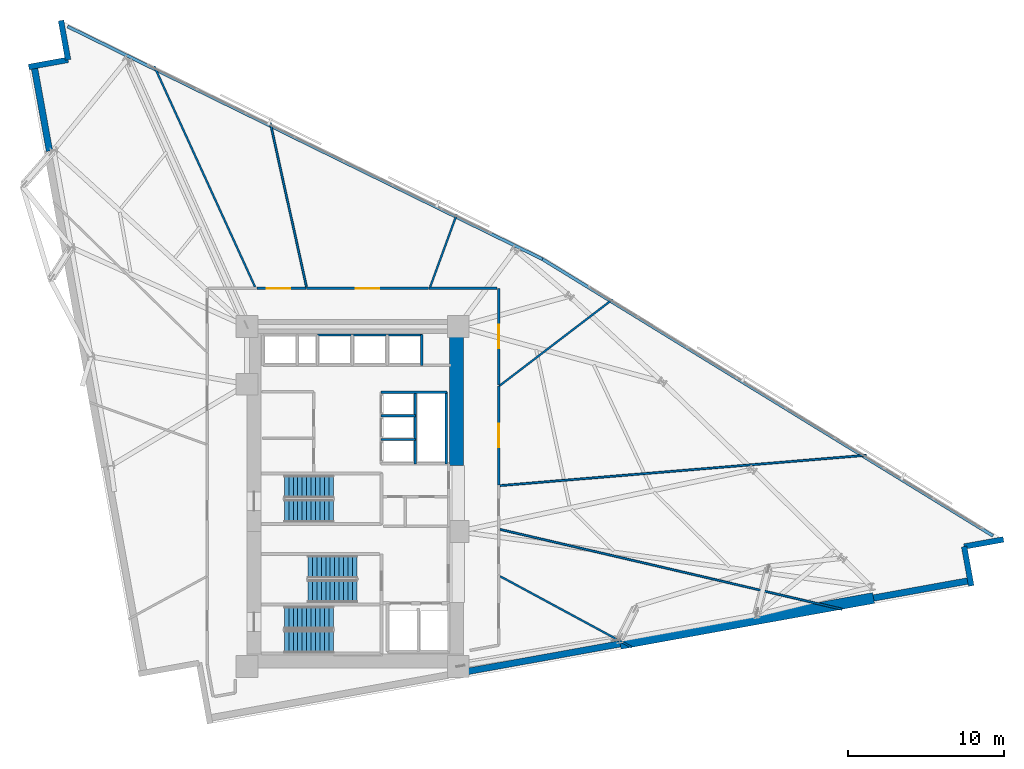
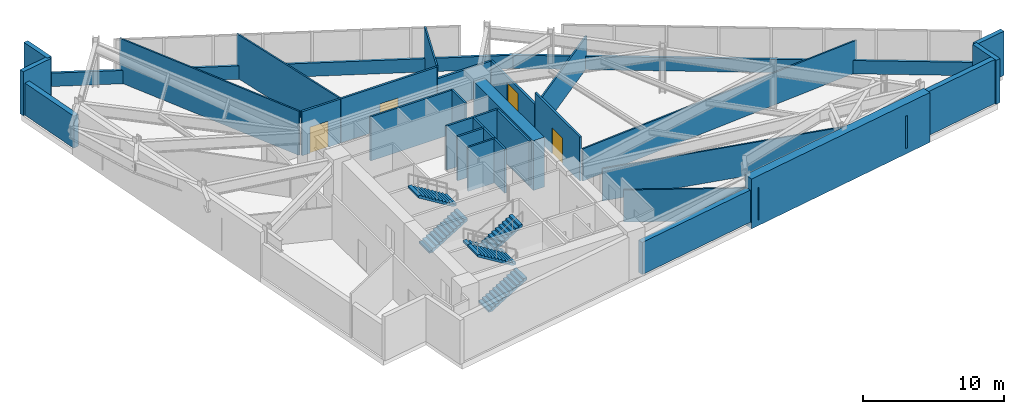
# One storey, part 14 of 19: 30 walls, 6 stair flights, 4 doors, 4 openings, 3 elements without a shape of their own.
"""IFC4 building model written with IfcOpenShell, lengths in metres."""

from ifc_helpers import new_model, si_unit, direction, frame, frame_2d, origin, place, context, subcontext, project, spatial, polyline, rectangle, outline, extrude, material, layer, layer_set, type_object, element, fill, aggregate, save


model = new_model("IFC4")

# Units and contexts
model_context = context("Model", 3, precision=1e-05, world=origin(), true_north=direction((0.0, 1.0)))
body_context = subcontext(model_context, "Body", "Model", "MODEL_VIEW")
ifc_project = project(units=[si_unit("LENGTHUNIT", "METRE"), si_unit("AREAUNIT", "SQUARE_METRE"), si_unit("VOLUMEUNIT", "CUBIC_METRE"), si_unit("PLANEANGLEUNIT", "RADIAN"), si_unit("MASSUNIT", "GRAM", prefix="KILO")], contexts=[model_context])

# Site, building, storey
site_placement = place(None, origin())
site = spatial("IfcSite", under=ifc_project, at=site_placement, CompositionType="ELEMENT")
building_placement = place(site_placement, origin())
building = spatial("IfcBuilding", under=site, at=building_placement, Name="Narakoshi Arena Tower", CompositionType="ELEMENT")
storey_placement = place(building_placement, frame((0.0, 0.0, 128.10009765625)))
storey = spatial("IfcBuildingStorey", under=building, at=storey_placement, Name="L34", CompositionType="ELEMENT", Elevation=128.10009765625)

# Wall
ifc_material_1 = material(Name="Concrete C60/75", Category="concrete")
ifc_layer_1 = layer(ifc_material_1, 0.89990234375)
ifc_layer_set_1 = layer_set([ifc_layer_1], Name="Concrete C60/75")
wall_type_1 = type_object("IfcWallType", Name="WL-CORE-900", PredefinedType="SHEAR", material=ifc_layer_set_1)
wall_1_placement = place(storey_placement, frame((85.449951171875, 47.60009765625, -0.5), z_axis=(0.0, 0.0, 1.0), x_axis=(0.0, 1.0, 0.0)))
element("IfcWall", 1, at=wall_1_placement, inside=storey, type_object=wall_type_1, Name="L34 Main Core Shear Wall CW-MN-E", PredefinedType="SHEAR", context=body_context, shape_type="SweptSolid", body=[
    extrude(rectangle(XDim=8.449951171875, YDim=0.89990234375, at=frame_2d((4.22509765625, 0.0))), origin(), (0.0, 0.0, 1.0), 4.2998046875),
])

# Wall, opening, door
ifc_material_2 = material(Name="Gypsum plasterboard fire-rated partition")
ifc_layer_2 = layer(ifc_material_2, 0.1650390625)
ifc_layer_set_2 = layer_set([ifc_layer_2], Name="Gypsum plasterboard fire-rated partition")
wall_type_2 = type_object("IfcWallType", Name="WL-CORR-165", PredefinedType="PARTITIONING", material=ifc_layer_set_2)
wall_2_placement = place(storey_placement, frame((88.14990234375, 46.3515625, 0.0), z_axis=(0.0, 0.0, 1.0), x_axis=(0.0, 1.0, 0.0)))
wall_2 = element("IfcWall", 2, at=wall_2_placement, inside=storey, type_object=wall_type_2, Name="L34 Corridor Partition 06-1", PredefinedType="PARTITIONING", context=body_context, shape_type="SweptSolid", body=[
    extrude(rectangle(XDim=6.34326171875, YDim=0.1650390625, at=frame_2d((3.171630859375, 0.0))), origin(), (0.0, 0.0, 1.0), 3.7998046875),
])
opening_1_placement = place(wall_2_placement, frame((2.421630859375, 0.0, 0.0)))
opening_1 = element("IfcOpeningElement", 3, at=opening_1_placement, cuts=wall_2, Name="Opening D-09", PredefinedType="OPENING", context=body_context, shape_type="SweptSolid", body=[
    extrude(rectangle(XDim=1.5, YDim=2.25, at=frame_2d((0.75, 1.125))), frame((0.0, 0.092529296875, 0.0), z_axis=(0.0, -1.0, 0.0), x_axis=(1.0, 0.0, 0.0)), (0.0, 0.0, 1.0), 0.18505859375),
])
ifc_material_3 = material(Name="Painted galvanized steel", Category="steel")
door_type = type_object("IfcDoorType", Name="DR-PLT-1500", OperationType="DOUBLE_DOOR_SINGLE_SWING", PredefinedType="DOOR", material=ifc_material_3)
door_1_placement = place(opening_1_placement, frame((1.5, 0.0, 0.0), z_axis=(0.0, 0.0, 1.0), x_axis=(-1.0, 0.0, 0.0)))
door_1 = element("IfcDoor", 4, at=door_1_placement, inside=storey, type_object=door_type, Name="DR-L34-020", OperationType="DOUBLE_DOOR_SINGLE_SWING", OverallHeight=2.25, OverallWidth=1.5, PredefinedType="DOOR", context=body_context, shape_type="SweptSolid", body=[
    extrude(rectangle(XDim=1.5, YDim=2.25, at=frame_2d((0.75, 1.125))), frame((0.0, 0.02490234375, 0.0), z_axis=(0.0, -1.0, 0.0), x_axis=(1.0, 0.0, 0.0)), (0.0, 0.0, 1.0), 0.050048828125),
])
fill(opening_1, door_1)

wall_3_placement = place(storey_placement, frame((88.14990234375, 52.7587890625, 0.0), z_axis=(0.0, 0.0, 1.0), x_axis=(0.0, 1.0, 0.0)))
wall_3 = element("IfcWall", 5, at=wall_3_placement, inside=storey, type_object=wall_type_2, Name="L34 Corridor Partition 07-1", PredefinedType="PARTITIONING", context=body_context, shape_type="SweptSolid", body=[
    extrude(rectangle(XDim=6.191162109375, YDim=0.1650390625, at=frame_2d((3.095703125, 0.0))), origin(), (0.0, 0.0, 1.0), 2.77685546875),
])
opening_2_placement = place(wall_3_placement, frame((2.345703125, 0.0, 0.0)))
opening_2 = element("IfcOpeningElement", 6, at=opening_2_placement, cuts=wall_3, Name="Opening D-09", PredefinedType="OPENING", context=body_context, shape_type="SweptSolid", body=[
    extrude(rectangle(XDim=1.5, YDim=2.25, at=frame_2d((0.75, 1.125))), frame((0.0, 0.092529296875, 0.0), z_axis=(0.0, -1.0, 0.0), x_axis=(1.0, 0.0, 0.0)), (0.0, 0.0, 1.0), 0.18505859375),
])
door_2_placement = place(opening_2_placement, frame((1.5, 0.0, 0.0), z_axis=(0.0, 0.0, 1.0), x_axis=(-1.0, 0.0, 0.0)))
door_2 = element("IfcDoor", 7, at=door_2_placement, inside=storey, type_object=door_type, Name="DR-L34-021", OperationType="DOUBLE_DOOR_SINGLE_SWING", OverallHeight=2.25, OverallWidth=1.5, PredefinedType="DOOR", context=body_context, shape_type="SweptSolid", body=[
    extrude(rectangle(XDim=1.5, YDim=2.25, at=frame_2d((0.75, 1.125))), frame((0.0, 0.02490234375, 0.0), z_axis=(0.0, -1.0, 0.0), x_axis=(1.0, 0.0, 0.0)), (0.0, 0.0, 1.0), 0.050048828125),
])
fill(opening_2, door_2)

# Wall
wall_4_placement = place(storey_placement, frame((88.055419921875, 58.949951171875, 0.0), z_axis=(0.0, 0.0, 1.0), x_axis=(-1.0, 0.0, 0.0)))
element("IfcWall", 8, at=wall_4_placement, inside=storey, type_object=wall_type_2, Name="L34 Corridor Partition 07-2", PredefinedType="PARTITIONING", context=body_context, shape_type="SweptSolid", body=[
    extrude(rectangle(XDim=4.377685546875, YDim=0.1650390625, at=frame_2d((2.18896484375, 0.0))), origin(), (0.0, 0.0, 1.0), 2.77685546875),
])

# Wall, opening, door
wall_5_placement = place(storey_placement, frame((83.652099609375, 58.949951171875, 0.0), z_axis=(0.0, 0.0, 1.0), x_axis=(-1.0, 0.0, 0.0)))
wall_5 = element("IfcWall", 9, at=wall_5_placement, inside=storey, type_object=wall_type_2, Name="L34 Corridor Partition 08-1", PredefinedType="PARTITIONING", context=body_context, shape_type="SweptSolid", body=[
    extrude(rectangle(XDim=7.849609375, YDim=0.1650390625, at=frame_2d((3.9248046875, 0.0))), origin(), (0.0, 0.0, 1.0), 3.7998046875),
])
opening_3_placement = place(wall_5_placement, frame((3.1748046875, 0.0, 0.0)))
opening_3 = element("IfcOpeningElement", 10, at=opening_3_placement, cuts=wall_5, Name="Opening D-09", PredefinedType="OPENING", context=body_context, shape_type="SweptSolid", body=[
    extrude(rectangle(XDim=1.5, YDim=2.25, at=frame_2d((0.75, 1.125))), frame((0.0, 0.092529296875, 0.0), z_axis=(0.0, -1.0, 0.0), x_axis=(1.0, 0.0, 0.0)), (0.0, 0.0, 1.0), 0.18505859375),
])
door_3_placement = place(opening_3_placement, frame((1.5, 0.0, 0.0), z_axis=(0.0, 0.0, 1.0), x_axis=(-1.0, 0.0, 0.0)))
door_3 = element("IfcDoor", 11, at=door_3_placement, inside=storey, type_object=door_type, Name="DR-L34-022", OperationType="DOUBLE_DOOR_SINGLE_SWING", OverallHeight=2.25, OverallWidth=1.5, PredefinedType="DOOR", context=body_context, shape_type="SweptSolid", body=[
    extrude(rectangle(XDim=1.5, YDim=2.25, at=frame_2d((0.75, 1.125))), frame((0.0, 0.02490234375, 0.0), z_axis=(0.0, -1.0, 0.0), x_axis=(1.0, 0.0, 0.0)), (0.0, 0.0, 1.0), 0.050048828125),
])
fill(opening_3, door_3)

wall_6_placement = place(storey_placement, frame((75.778076171875, 58.949951171875, 0.0), z_axis=(0.0, 0.0, 1.0), x_axis=(-1.0, 0.0, 0.0)))
wall_6 = element("IfcWall", 12, at=wall_6_placement, inside=storey, type_object=wall_type_2, Name="L34 Corridor Partition 10-1", PredefinedType="PARTITIONING", context=body_context, shape_type="SweptSolid", body=[
    extrude(rectangle(XDim=3.15087890625, YDim=0.1650390625, at=frame_2d((1.575439453125, 0.0))), origin(), (0.0, 0.0, 1.0), 3.7998046875),
])
opening_4_placement = place(wall_6_placement, frame((1.012939453125, 0.0, 0.0)))
opening_4 = element("IfcOpeningElement", 13, at=opening_4_placement, cuts=wall_6, Name="Opening D-09", PredefinedType="OPENING", context=body_context, shape_type="SweptSolid", body=[
    extrude(rectangle(XDim=1.5, YDim=2.25, at=frame_2d((0.75, 1.125))), frame((0.0, 0.092529296875, 0.0), z_axis=(0.0, -1.0, 0.0), x_axis=(1.0, 0.0, 0.0)), (0.0, 0.0, 1.0), 0.18505859375),
])
door_4_placement = place(opening_4_placement, frame((1.5, 0.0, 0.0), z_axis=(0.0, 0.0, 1.0), x_axis=(-1.0, 0.0, 0.0)))
door_4 = element("IfcDoor", 14, at=door_4_placement, inside=storey, type_object=door_type, Name="DR-L34-024", OperationType="DOUBLE_DOOR_SINGLE_SWING", OverallHeight=2.25, OverallWidth=1.5, PredefinedType="DOOR", context=body_context, shape_type="SweptSolid", body=[
    extrude(rectangle(XDim=1.5, YDim=2.25, at=frame_2d((0.75, 1.125))), frame((0.0, 0.02490234375, 0.0), z_axis=(0.0, -1.0, 0.0), x_axis=(1.0, 0.0, 0.0)), (0.0, 0.0, 1.0), 0.050048828125),
])
fill(opening_4, door_4)

# Walls
ifc_layer_3 = layer(ifc_material_1, 0.699951171875)
ifc_layer_set_3 = layer_set([ifc_layer_3], Name="Concrete C60/75")
wall_type_3 = type_object("IfcWallType", Name="WL-LEG-700", PredefinedType="SHEAR", material=ifc_layer_set_3)
wall_7_placement = place(storey_placement, frame((95.93798828125, 36.14599609375, -0.5), z_axis=(0.0, 0.0, 1.0), x_axis=(0.984038488288, 0.177955762952, 0.0)))
element("IfcWall", 15, at=wall_7_placement, inside=storey, type_object=wall_type_3, Name="L34 Architectural Concrete Structural Wall LEGA-3", PredefinedType="SHEAR", context=body_context, shape_type="SweptSolid", body=[
    extrude(rectangle(XDim=16.524658203125, YDim=0.699951171875, at=frame_2d((8.26220703125, 0.0))), origin(), (0.0, 0.0, 1.0), 4.2998046875),
])
ifc_material_4 = material(Name="Precast concrete C45/55", Category="concrete")
ifc_layer_4 = layer(ifc_material_4, 0.25)
ifc_layer_set_4 = layer_set([ifc_layer_4], Name="Precast concrete C45/55")
wall_type_4 = type_object("IfcWallType", Name="WL-PARA-250", PredefinedType="PARAPET", material=ifc_layer_set_4)
wall_8_placement = place(storey_placement, frame((119.86474609375, 43.0703125, 0.0), z_axis=(0.0, 0.0, 1.0), x_axis=(-0.852110824326, 0.52336138859, 0.0)))
element("IfcWall", 16, at=wall_8_placement, inside=storey, type_object=wall_type_4, Name="L34 Hypotenuse Sill Upstand Parapet 1-01", PredefinedType="PARAPET", context=body_context, shape_type="SweptSolid", body=[
    extrude(rectangle(XDim=33.931640625, YDim=0.199951171875, at=frame_2d((16.9658203125, 0.0))), origin(), (0.0, 0.0, 1.0), 1.14990234375),
])
wall_9_placement = place(storey_placement, frame((90.96435546875, 60.821533203125, 0.0), z_axis=(0.0, 0.0, 1.0), x_axis=(-0.897994223128, 0.440007244519, 0.0)))
element("IfcWall", 17, at=wall_9_placement, inside=storey, type_object=wall_type_4, Name="L34 Hypotenuse Sill Upstand Parapet 2-01", PredefinedType="PARAPET", context=body_context, shape_type="SweptSolid", body=[
    extrude(rectangle(XDim=33.946533203125, YDim=0.199951171875, at=frame_2d((16.97314453125, 0.0))), origin(), (0.0, 0.0, 1.0), 1.14990234375),
])
ifc_layer_5 = layer(ifc_material_2, 0.125)
ifc_layer_set_5 = layer_set([ifc_layer_5], Name="Gypsum plasterboard fire-rated partition")
wall_type_5 = type_object("IfcWallType", Name="WL-PART-125", PredefinedType="PARTITIONING", material=ifc_layer_set_5)
wall_10_placement = place(storey_placement, frame((88.244384765625, 40.480224609375, 0.0), z_axis=(0.0, 0.0, 1.0), x_axis=(0.879963723741, -0.475040887609, 0.0)))
element("IfcWall", 18, at=wall_10_placement, inside=storey, type_object=wall_type_5, Name="L34 Inter-Room Partition 03-05", PredefinedType="PARTITIONING", context=body_context, shape_type="SweptSolid", body=[
    extrude(rectangle(XDim=9.589111328125, YDim=0.125, at=frame_2d((4.79443359375, 0.0))), origin(), (0.0, 0.0, 1.0), 2.77685546875),
])
wall_11_placement = place(storey_placement, frame((110.179443359375, 38.36572265625, 0.0), z_axis=(0.0, 0.0, 1.0), x_axis=(-0.973790979641, 0.227444780043, 0.0)))
element("IfcWall", 19, at=wall_11_placement, inside=storey, type_object=wall_type_5, Name="L34 Inter-Room Partition 04-05", PredefinedType="PARTITIONING", context=body_context, shape_type="SweptSolid", body=[
    extrude(rectangle(XDim=22.525390625, YDim=0.125, at=frame_2d((11.2626953125, 0.0))), origin(), (0.0, 0.0, 1.0), 2.77685546875),
])
wall_12_placement = place(storey_placement, frame((88.244384765625, 46.299560546875, 0.0), z_axis=(0.0, 0.0, 1.0), x_axis=(0.996582011134, 0.082609291754, 0.0)))
element("IfcWall", 20, at=wall_12_placement, inside=storey, type_object=wall_type_5, Name="L34 Inter-Room Partition 04-06", PredefinedType="PARTITIONING", context=body_context, shape_type="SweptSolid", body=[
    extrude(rectangle(XDim=23.577880859375, YDim=0.125, at=frame_2d((11.7890625, 0.0))), origin(), (0.0, 0.0, 1.0), 2.77685546875),
])
wall_13_placement = place(storey_placement, frame((88.18896484375, 52.69482421875, 0.0), z_axis=(0.0, 0.0, 1.0), x_axis=(0.794642575685, 0.607077570751, 0.0)))
element("IfcWall", 21, at=wall_13_placement, inside=storey, type_object=wall_type_5, Name="L34 Inter-Room Partition 06-07", PredefinedType="PARTITIONING", context=body_context, shape_type="SweptSolid", body=[
    extrude(rectangle(XDim=9.14794921875, YDim=0.125, at=frame_2d((4.573974609375, 0.0))), origin(), (0.0, 0.0, 1.0), 2.77685546875),
])
wall_14_placement = place(storey_placement, frame((83.750732421875, 59.04443359375, 0.0), z_axis=(0.0, 0.0, 1.0), x_axis=(0.343972438463, 0.938979745031, 0.0)))
element("IfcWall", 22, at=wall_14_placement, inside=storey, type_object=wall_type_5, Name="L34 Inter-Room Partition 07-08", PredefinedType="PARTITIONING", context=body_context, shape_type="SweptSolid", body=[
    extrude(rectangle(XDim=4.95703125, YDim=0.125, at=frame_2d((2.478515625, 0.0))), origin(), (0.0, 0.0, 1.0), 3.7998046875),
])
wall_15_placement = place(storey_placement, frame((75.817138671875, 59.04443359375, 0.0), z_axis=(0.0, 0.0, 1.0), x_axis=(-0.215290072493, 0.976550144481, 0.0)))
element("IfcWall", 23, at=wall_15_placement, inside=storey, type_object=wall_type_5, Name="L34 Inter-Room Partition 08-10", PredefinedType="PARTITIONING", context=body_context, shape_type="SweptSolid", body=[
    extrude(rectangle(XDim=10.76513671875, YDim=0.125, at=frame_2d((5.382568359375, 0.0))), origin(), (0.0, 0.0, 1.0), 3.7998046875),
])
wall_16_placement = place(storey_placement, frame((66.046875, 73.208984375, 0.0), z_axis=(0.0, 0.0, 1.0), x_axis=(0.415532629707, -0.909578272415, 0.0)))
element("IfcWall", 24, at=wall_16_placement, inside=storey, type_object=wall_type_5, Name="L34 Inter-Room Partition 09-10", PredefinedType="PARTITIONING", context=body_context, shape_type="SweptSolid", body=[
    extrude(rectangle(XDim=15.57275390625, YDim=0.125, at=frame_2d((7.786376953125, 0.0))), origin(), (0.0, 0.0, 1.0), 3.7998046875),
])
ifc_layer_6 = layer(ifc_material_4, 0.419921875)
ifc_layer_set_6 = layer_set([ifc_layer_6], Name="Precast concrete C45/55")
wall_type_6 = type_object("IfcWallType", Name="WL-POD-420", PredefinedType="SOLIDWALL", material=ifc_layer_set_6)
wall_17_placement = place(storey_placement, frame((86.10009765625, 34.3671875, 0.0), z_axis=(0.0, 0.0, 1.0), x_axis=(0.9840437071, 0.177926902172, 0.0)))
element("IfcWall", 25, at=wall_17_placement, inside=storey, type_object=wall_type_6, Name="L34 Architectural Concrete Facade Wall LEGA-2", PredefinedType="SOLIDWALL", context=body_context, shape_type="SweptSolid", body=[
    extrude(rectangle(XDim=9.997314453125, YDim=0.419921875, at=frame_2d((4.99853515625, 0.0))), origin(), (0.0, 0.0, 1.0), 2.77685546875),
])
wall_18_placement = place(storey_placement, frame((112.198974609375, 39.086669921875, 0.0), z_axis=(0.0, 0.0, 1.0), x_axis=(0.984042888215, 0.177931431042, 0.0)))
element("IfcWall", 26, at=wall_18_placement, inside=storey, type_object=wall_type_6, Name="L34 Architectural Concrete Facade Wall LEGA-4", PredefinedType="SOLIDWALL", context=body_context, shape_type="SweptSolid", body=[
    extrude(rectangle(XDim=6.30615234375, YDim=0.419921875, at=frame_2d((3.153076171875, 0.0))), origin(), (0.0, 0.0, 1.0), 3.7998046875),
])
wall_19_placement = place(storey_placement, frame((58.341796875, 73.2197265625, 0.0), z_axis=(0.0, 0.0, 1.0), x_axis=(0.177981837245, -0.984033772597, 0.0)))
element("IfcWall", 27, at=wall_19_placement, inside=storey, type_object=wall_type_6, Name="L34 Architectural Concrete Facade Wall LEGB-1", PredefinedType="SOLIDWALL", context=body_context, shape_type="SweptSolid", body=[
    extrude(rectangle(XDim=5.540283203125, YDim=0.419921875, at=frame_2d((2.77001953125, 0.0))), origin(), (0.0, 0.0, 1.0), 2.77685546875),
])
wall_20_placement = place(storey_placement, frame((118.466796875, 39.8642578125, 0.0), z_axis=(0.0, 0.0, 1.0), x_axis=(-0.177897493713, 0.984049024048, 0.0)))
element("IfcWall", 28, at=wall_20_placement, inside=storey, type_object=wall_type_6, Name="L34 Re-Entrant Corner Notch Wall NTE-1", PredefinedType="SOLIDWALL", context=body_context, shape_type="SweptSolid", body=[
    extrude(rectangle(XDim=2.56640625, YDim=0.360107421875, at=frame_2d((1.283203125, 0.0))), origin(), (0.0, 0.0, 1.0), 3.7998046875),
])
wall_21_placement = place(storey_placement, frame((118.01025390625, 42.3896484375, 0.0), z_axis=(0.0, 0.0, 1.0), x_axis=(0.984046012923, 0.177914149102, 0.0)))
element("IfcWall", 29, at=wall_21_placement, inside=storey, type_object=wall_type_6, Name="L34 Re-Entrant Corner Notch Wall NTE-2", PredefinedType="SOLIDWALL", context=body_context, shape_type="SweptSolid", body=[
    extrude(rectangle(XDim=2.566162109375, YDim=0.360107421875, at=frame_2d((1.283203125, 0.0))), origin(), (0.0, 0.0, 1.0), 3.7998046875),
])
wall_22_placement = place(storey_placement, frame((60.066162109375, 76.139404296875, 0.0), z_axis=(0.0, 0.0, 1.0), x_axis=(0.177897493713, -0.984049024048, 0.0)))
element("IfcWall", 30, at=wall_22_placement, inside=storey, type_object=wall_type_6, Name="L34 Re-Entrant Corner Notch Wall NTN-1", PredefinedType="SOLIDWALL", context=body_context, shape_type="SweptSolid", body=[
    extrude(rectangle(XDim=2.56640625, YDim=0.360107421875, at=frame_2d((1.283203125, 0.0))), origin(), (0.0, 0.0, 1.0), 3.7998046875),
])
wall_23_placement = place(storey_placement, frame((60.522705078125, 73.614013671875, 0.0), z_axis=(0.0, 0.0, 1.0), x_axis=(-0.984046012923, -0.177914149102, 0.0)))
element("IfcWall", 31, at=wall_23_placement, inside=storey, type_object=wall_type_6, Name="L34 Re-Entrant Corner Notch Wall NTN-2", PredefinedType="SOLIDWALL", context=body_context, shape_type="SweptSolid", body=[
    extrude(rectangle(XDim=2.566162109375, YDim=0.360107421875, at=frame_2d((1.283203125, 0.0))), origin(), (0.0, 0.0, 1.0), 3.7998046875),
])
ifc_material_5 = material(Name="Concrete C40/50", Category="concrete")
ifc_layer_7 = layer(ifc_material_5, 0.280029296875)
ifc_layer_set_7 = layer_set([ifc_layer_7], Name="Concrete C40/50")
wall_type_7 = type_object("IfcWallType", Name="WL-RISER-280", PredefinedType="PLUMBINGWALL", material=ifc_layer_set_7)
for number, where, z_axis, x_axis, name in (
    (32, (80.60009765625, 49.260009765625, 0.0), (0.0, 0.0, 1.0), (1.0, 0.0, 0.0), "L34 Core Wall MR-D1"),
    (33, (80.60009765625, 50.780029296875, 0.0), (0.0, 0.0, 1.0), (1.0, 0.0, 0.0), "L34 Core Wall MR-D2"),
):
    element("IfcWall", number, at=place(storey_placement, frame(where, z_axis=z_axis, x_axis=x_axis)), inside=storey, type_object=wall_type_7, Name=name, PredefinedType="PLUMBINGWALL", context=body_context, shape_type="SweptSolid", body=[
        extrude(rectangle(XDim=2.199951171875, YDim=0.14990234375, at=frame_2d((1.10009765625, 0.0))), origin(), (0.0, 0.0, 1.0), 3.7998046875),
    ])
wall_24_placement = place(storey_placement, frame((82.800048828125, 47.699951171875, 0.0), z_axis=(0.0, 0.0, 1.0), x_axis=(0.0, 1.0, 0.0)))
element("IfcWall", 34, at=wall_24_placement, inside=storey, type_object=wall_type_7, Name="L34 Core Wall MR-E", PredefinedType="PLUMBINGWALL", context=body_context, shape_type="SweptSolid", body=[
    extrude(rectangle(XDim=4.60009765625, YDim=0.14990234375, at=frame_2d((2.300048828125, 0.0))), origin(), (0.0, 0.0, 1.0), 3.7998046875),
])
ifc_material_6 = material(Name="Concrete C50/60", Category="concrete")
ifc_layer_8 = layer(ifc_material_6, 0.35009765625)
ifc_layer_set_8 = layer_set([ifc_layer_8], Name="Concrete C50/60")
wall_type_8 = type_object("IfcWallType", Name="WL-SHAFT-350", PredefinedType="SOLIDWALL", material=ifc_layer_set_8)
wall_25_placement = place(storey_placement, frame((80.60009765625, 52.300048828125, 0.0), z_axis=(0.0, 0.0, 1.0), x_axis=(1.0, 0.0, 0.0)))
element("IfcWall", 35, at=wall_25_placement, inside=storey, type_object=wall_type_8, Name="L34 Core Wall MR-N", PredefinedType="SOLIDWALL", context=body_context, shape_type="SweptSolid", body=[
    extrude(rectangle(XDim=4.219970703125, YDim=0.159912109375, at=frame_2d((2.10986328125, 0.0))), origin(), (0.0, 0.0, 1.0), 3.7998046875),
])
wall_26_placement = place(storey_placement, frame((84.780029296875, 47.699951171875, 0.0), z_axis=(0.0, 0.0, 1.0), x_axis=(0.0, 1.0, 0.0)))
element("IfcWall", 36, at=wall_26_placement, inside=storey, type_object=wall_type_8, Name="L34 Core Wall MR-E2", PredefinedType="SOLIDWALL", context=body_context, shape_type="SweptSolid", body=[
    extrude(rectangle(XDim=4.60009765625, YDim=0.159912109375, at=frame_2d((2.300048828125, 0.0))), origin(), (0.0, 0.0, 1.0), 3.7998046875),
])
wall_27_placement = place(storey_placement, frame((83.219970703125, 54.02001953125, 0.0), z_axis=(0.0, 0.0, 1.0), x_axis=(0.0, 1.0, 0.0)))
element("IfcWall", 37, at=wall_27_placement, inside=storey, type_object=wall_type_8, Name="L34 Core Wall HR-E", PredefinedType="SOLIDWALL", context=body_context, shape_type="SweptSolid", body=[
    extrude(rectangle(XDim=1.9599609375, YDim=0.14990234375, at=frame_2d((0.97998046875, 0.0))), origin(), (0.0, 0.0, 1.0), 3.7998046875),
])
wall_28_placement = place(storey_placement, frame((76.52001953125, 55.9599609375, 0.0), z_axis=(0.0, 0.0, 1.0), x_axis=(1.0, 0.0, 0.0)))
element("IfcWall", 38, at=wall_28_placement, inside=storey, type_object=wall_type_8, Name="L34 Core Wall HR-N", PredefinedType="SOLIDWALL", context=body_context, shape_type="SweptSolid", body=[
    extrude(rectangle(XDim=6.699951171875, YDim=0.14990234375, at=frame_2d((3.35009765625, 0.0))), origin(), (0.0, 0.0, 1.0), 3.7998046875),
])

# Stair, stair flights
ifc_material_7 = material(Name="Concrete C45/55", Category="concrete")
stair_type = type_object("IfcStairType", Name="STR-PLANT-420", PredefinedType="TWO_STRAIGHT_RUN_STAIR", material=ifc_material_7)
stair_1_placement = place(storey_placement, origin())
stair_1 = element("IfcStair", 39, at=stair_1_placement, inside=storey, type_object=stair_type, Name="L34 Core Escape Stair ST1", PredefinedType="TWO_STRAIGHT_RUN_STAIR")
stair_flight_type = type_object("IfcStairFlightType", Name="FLT-145-160", PredefinedType="STRAIGHT", material=ifc_material_4)
stair_flight_1_placement = place(storey_placement, frame((74.39990234375, 36.27490234375, 0.0), z_axis=(0.0, 0.0, 1.0), x_axis=(1.0, 0.0, 0.0)))
stair_flight_1 = element("IfcStairFlight", 40, at=stair_flight_1_placement, type_object=stair_flight_type, Name="ST1 flight 1", NumberOfRisers=12, NumberOfTreads=11, PredefinedType="STRAIGHT", RiserHeight=0.175, TreadLength=0.285, context=body_context, shape_type="SweptSolid", body=[
    extrude(outline(polyline([(0.0, 0.0), (0.0, 0.175048828125), (0.284912109375, 0.175048828125), (0.284912109375, 0.35009765625), (0.570068359375, 0.35009765625), (0.570068359375, 0.52490234375), (0.85498046875, 0.52490234375), (0.85498046875, 0.699951171875), (1.139892578125, 0.699951171875), (1.139892578125, 0.875), (1.425048828125, 0.875), (1.425048828125, 1.050048828125), (1.7099609375, 1.050048828125), (1.7099609375, 1.22509765625), (1.9951171875, 1.22509765625), (1.9951171875, 1.39990234375), (2.280029296875, 1.39990234375), (2.280029296875, 1.574951171875), (2.56494140625, 1.574951171875), (2.56494140625, 1.75), (2.85009765625, 1.75), (2.85009765625, 1.925048828125), (3.135009765625, 1.925048828125), (3.135009765625, 2.10009765625), (3.135009765625, 1.7490234375), (0.286376953125, 0.0), (0.0, 0.0)])), frame((0.0, 0.72509765625, 0.0), z_axis=(0.0, -1.0, 0.0), x_axis=(1.0, 0.0, 0.0)), (0.0, 0.0, 1.0), 1.449951171875),
])
stair_flight_2_placement = place(storey_placement, frame((77.534912109375, 37.824951171875, 2.099853515625), z_axis=(0.0, 0.0, 1.0), x_axis=(-1.0, 0.0, 0.0)))
stair_flight_2 = element("IfcStairFlight", 41, at=stair_flight_2_placement, type_object=stair_flight_type, Name="ST1 flight 2", NumberOfRisers=12, NumberOfTreads=11, PredefinedType="STRAIGHT", RiserHeight=0.175, TreadLength=0.285, context=body_context, shape_type="SweptSolid", body=[
    extrude(outline(polyline([(0.0, 0.0), (0.0, 0.175048828125), (0.284912109375, 0.175048828125), (0.284912109375, 0.35009765625), (0.570068359375, 0.35009765625), (0.570068359375, 0.52490234375), (0.85498046875, 0.52490234375), (0.85498046875, 0.699951171875), (1.139892578125, 0.699951171875), (1.139892578125, 0.875), (1.425048828125, 0.875), (1.425048828125, 1.050048828125), (1.7099609375, 1.050048828125), (1.7099609375, 1.22509765625), (1.9951171875, 1.22509765625), (1.9951171875, 1.39990234375), (2.280029296875, 1.39990234375), (2.280029296875, 1.574951171875), (2.56494140625, 1.574951171875), (2.56494140625, 1.75), (2.85009765625, 1.75), (2.85009765625, 1.925048828125), (3.135009765625, 1.925048828125), (3.135009765625, 2.10009765625), (3.135009765625, 1.7490234375), (0.286376953125, 0.0), (0.0, 0.0)])), frame((0.0, 0.72509765625, 0.0), z_axis=(0.0, -1.0, 0.0), x_axis=(1.0, 0.0, 0.0)), (0.0, 0.0, 1.0), 1.449951171875),
])
aggregate(stair_1, [stair_flight_1, stair_flight_2])

stair_2_placement = place(storey_placement, origin())
stair_2 = element("IfcStair", 42, at=stair_2_placement, inside=storey, type_object=stair_type, Name="L34 Core Escape Stair ST2", PredefinedType="TWO_STRAIGHT_RUN_STAIR")
stair_flight_3_placement = place(storey_placement, frame((79.050048828125, 41.074951171875, 0.0), z_axis=(0.0, 0.0, 1.0), x_axis=(-1.0, 0.0, 0.0)))
stair_flight_3 = element("IfcStairFlight", 43, at=stair_flight_3_placement, type_object=stair_flight_type, Name="ST2 flight 1", NumberOfRisers=12, NumberOfTreads=11, PredefinedType="STRAIGHT", RiserHeight=0.175, TreadLength=0.285, context=body_context, shape_type="SweptSolid", body=[
    extrude(outline(polyline([(0.0, 0.0), (0.0, 0.175048828125), (0.284912109375, 0.175048828125), (0.284912109375, 0.35009765625), (0.570068359375, 0.35009765625), (0.570068359375, 0.52490234375), (0.85498046875, 0.52490234375), (0.85498046875, 0.699951171875), (1.139892578125, 0.699951171875), (1.139892578125, 0.875), (1.425048828125, 0.875), (1.425048828125, 1.050048828125), (1.7099609375, 1.050048828125), (1.7099609375, 1.22509765625), (1.9951171875, 1.22509765625), (1.9951171875, 1.39990234375), (2.280029296875, 1.39990234375), (2.280029296875, 1.574951171875), (2.56494140625, 1.574951171875), (2.56494140625, 1.75), (2.85009765625, 1.75), (2.85009765625, 1.925048828125), (3.135009765625, 1.925048828125), (3.135009765625, 2.10009765625), (3.135009765625, 1.7490234375), (0.286376953125, 0.0), (0.0, 0.0)])), frame((0.0, 0.72509765625, 0.0), z_axis=(0.0, -1.0, 0.0), x_axis=(1.0, 0.0, 0.0)), (0.0, 0.0, 1.0), 1.449951171875),
])
stair_flight_4_placement = place(storey_placement, frame((75.9150390625, 39.52490234375, 2.099853515625), z_axis=(0.0, 0.0, 1.0), x_axis=(1.0, 0.0, 0.0)))
stair_flight_4 = element("IfcStairFlight", 44, at=stair_flight_4_placement, type_object=stair_flight_type, Name="ST2 flight 2", NumberOfRisers=12, NumberOfTreads=11, PredefinedType="STRAIGHT", RiserHeight=0.175, TreadLength=0.285, context=body_context, shape_type="SweptSolid", body=[
    extrude(outline(polyline([(0.0, 0.0), (0.0, 0.175048828125), (0.284912109375, 0.175048828125), (0.284912109375, 0.35009765625), (0.570068359375, 0.35009765625), (0.570068359375, 0.52490234375), (0.85498046875, 0.52490234375), (0.85498046875, 0.699951171875), (1.139892578125, 0.699951171875), (1.139892578125, 0.875), (1.425048828125, 0.875), (1.425048828125, 1.050048828125), (1.7099609375, 1.050048828125), (1.7099609375, 1.22509765625), (1.9951171875, 1.22509765625), (1.9951171875, 1.39990234375), (2.280029296875, 1.39990234375), (2.280029296875, 1.574951171875), (2.56494140625, 1.574951171875), (2.56494140625, 1.75), (2.85009765625, 1.75), (2.85009765625, 1.925048828125), (3.135009765625, 1.925048828125), (3.135009765625, 2.10009765625), (3.135009765625, 1.7490234375), (0.286376953125, 0.0), (0.0, 0.0)])), frame((0.0, 0.72509765625, 0.0), z_axis=(0.0, -1.0, 0.0), x_axis=(1.0, 0.0, 0.0)), (0.0, 0.0, 1.0), 1.449951171875),
])
aggregate(stair_2, [stair_flight_3, stair_flight_4])

stair_3_placement = place(storey_placement, origin())
stair_3 = element("IfcStair", 45, at=stair_3_placement, inside=storey, type_object=stair_type, Name="L34 Core Escape Stair ST3", PredefinedType="TWO_STRAIGHT_RUN_STAIR")
stair_flight_5_placement = place(storey_placement, frame((74.39990234375, 44.675048828125, 0.0), z_axis=(0.0, 0.0, 1.0), x_axis=(1.0, 0.0, 0.0)))
stair_flight_5 = element("IfcStairFlight", 46, at=stair_flight_5_placement, type_object=stair_flight_type, Name="ST3 flight 1", NumberOfRisers=12, NumberOfTreads=11, PredefinedType="STRAIGHT", RiserHeight=0.175, TreadLength=0.285, context=body_context, shape_type="SweptSolid", body=[
    extrude(outline(polyline([(0.0, 0.0), (0.0, 0.175048828125), (0.284912109375, 0.175048828125), (0.284912109375, 0.35009765625), (0.570068359375, 0.35009765625), (0.570068359375, 0.52490234375), (0.85498046875, 0.52490234375), (0.85498046875, 0.699951171875), (1.139892578125, 0.699951171875), (1.139892578125, 0.875), (1.425048828125, 0.875), (1.425048828125, 1.050048828125), (1.7099609375, 1.050048828125), (1.7099609375, 1.22509765625), (1.9951171875, 1.22509765625), (1.9951171875, 1.39990234375), (2.280029296875, 1.39990234375), (2.280029296875, 1.574951171875), (2.56494140625, 1.574951171875), (2.56494140625, 1.75), (2.85009765625, 1.75), (2.85009765625, 1.925048828125), (3.135009765625, 1.925048828125), (3.135009765625, 2.10009765625), (3.135009765625, 1.7490234375), (0.286376953125, 0.0), (0.0, 0.0)])), frame((0.0, 0.72509765625, 0.0), z_axis=(0.0, -1.0, 0.0), x_axis=(1.0, 0.0, 0.0)), (0.0, 0.0, 1.0), 1.449951171875),
])
stair_flight_6_placement = place(storey_placement, frame((77.534912109375, 46.22509765625, 2.099853515625), z_axis=(0.0, 0.0, 1.0), x_axis=(-1.0, 0.0, 0.0)))
stair_flight_6 = element("IfcStairFlight", 47, at=stair_flight_6_placement, type_object=stair_flight_type, Name="ST3 flight 2", NumberOfRisers=12, NumberOfTreads=11, PredefinedType="STRAIGHT", RiserHeight=0.175, TreadLength=0.285, context=body_context, shape_type="SweptSolid", body=[
    extrude(outline(polyline([(0.0, 0.0), (0.0, 0.175048828125), (0.284912109375, 0.175048828125), (0.284912109375, 0.35009765625), (0.570068359375, 0.35009765625), (0.570068359375, 0.52490234375), (0.85498046875, 0.52490234375), (0.85498046875, 0.699951171875), (1.139892578125, 0.699951171875), (1.139892578125, 0.875), (1.425048828125, 0.875), (1.425048828125, 1.050048828125), (1.7099609375, 1.050048828125), (1.7099609375, 1.22509765625), (1.9951171875, 1.22509765625), (1.9951171875, 1.39990234375), (2.280029296875, 1.39990234375), (2.280029296875, 1.574951171875), (2.56494140625, 1.574951171875), (2.56494140625, 1.75), (2.85009765625, 1.75), (2.85009765625, 1.925048828125), (3.135009765625, 1.925048828125), (3.135009765625, 2.10009765625), (3.135009765625, 1.7490234375), (0.286376953125, 0.0), (0.0, 0.0)])), frame((0.0, 0.72509765625, 0.0), z_axis=(0.0, -1.0, 0.0), x_axis=(1.0, 0.0, 0.0)), (0.0, 0.0, 1.0), 1.449951171875),
])
aggregate(stair_3, [stair_flight_5, stair_flight_6])

save(model, "model.ifc")
